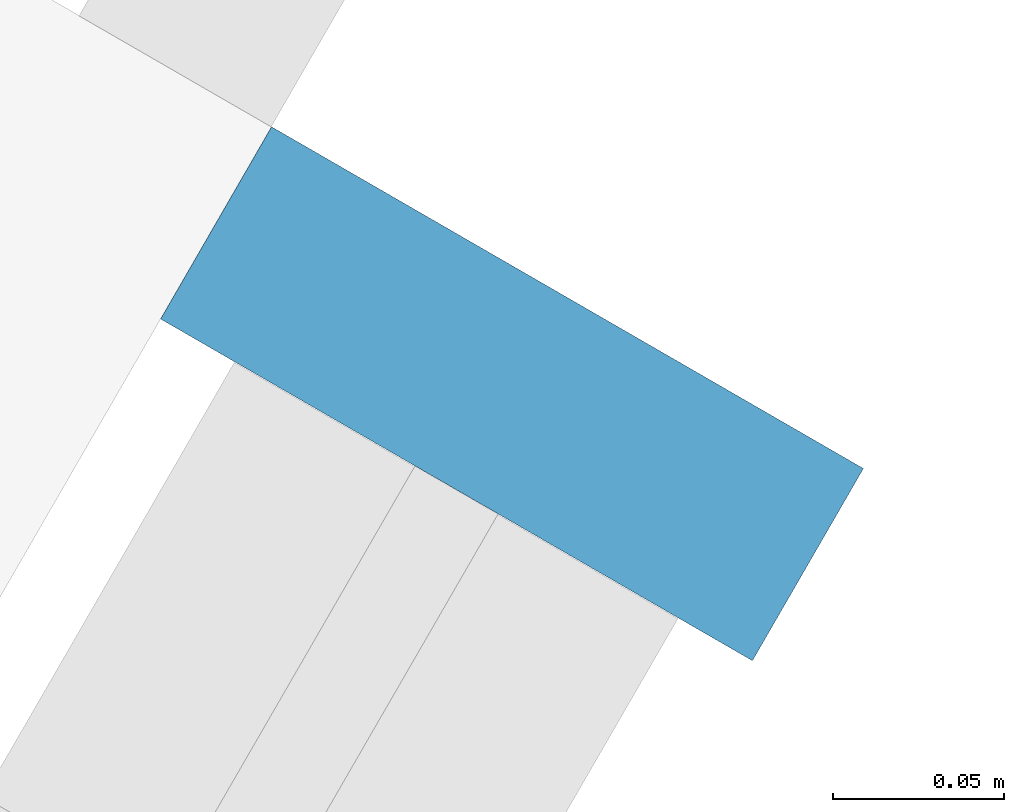
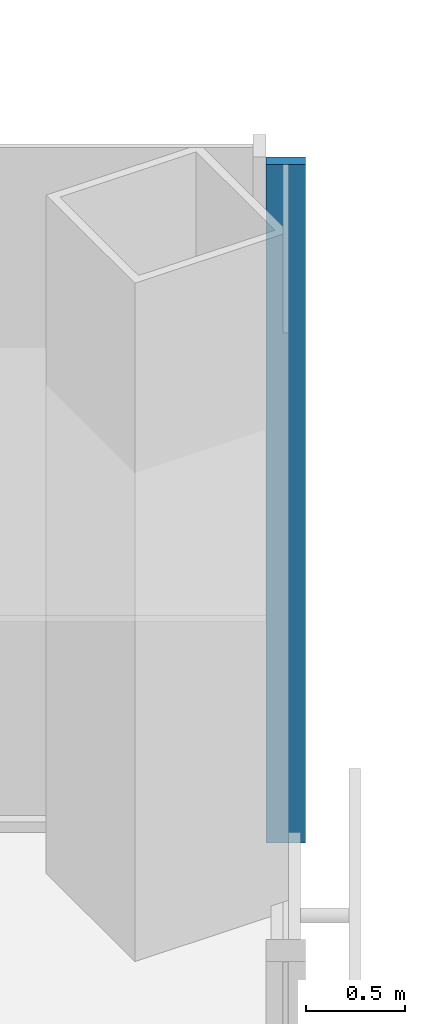
# One storey, part 8 of 15: 1 member, 1 element without a shape of its own.
"""IFC4 building model written with IfcOpenShell, lengths in metres."""

from ifc_helpers import new_model, si_unit, direction, frame, origin, origin_2d, place, context, subcontext, project, spatial, rectangle, extrude, material, material_profile, profile_set, type_object, element, aggregate, save


model = new_model("IFC4")

# Units and contexts
model_context = context("Model", 3, precision=1e-05, world=origin(), true_north=direction((0.0, 1.0)))
body_context = subcontext(model_context, "Body", "Model", "MODEL_VIEW")
ifc_project = project(units=[si_unit("LENGTHUNIT", "METRE"), si_unit("AREAUNIT", "SQUARE_METRE"), si_unit("VOLUMEUNIT", "CUBIC_METRE"), si_unit("PLANEANGLEUNIT", "RADIAN"), si_unit("MASSUNIT", "GRAM", prefix="KILO")], contexts=[model_context])

# Site, building, storey
site_placement = place(None, origin())
site = spatial("IfcSite", under=ifc_project, at=site_placement, CompositionType="ELEMENT")
building_placement = place(site_placement, origin())
building = spatial("IfcBuilding", under=site, at=building_placement, Name="Kasaneha Research Tower", CompositionType="ELEMENT")
storey_placement = place(building_placement, frame((0.0, 0.0, 35.199951171875)))
storey = spatial("IfcBuildingStorey", under=building, at=storey_placement, Name="L09", CompositionType="ELEMENT", Elevation=35.199951171875)

# Curtain wall, member
ifc_material_1 = material(Name="Glass and aluminium", Category="aluminium")
curtain_wall_type = type_object("IfcCurtainWallType", Name="Dry laboratory curtain wall", PredefinedType="USERDEFINED", material=ifc_material_1)
curtain_wall_placement = place(storey_placement, origin())
curtain_wall = element("IfcCurtainWall", 1, at=curtain_wall_placement, inside=storey, type_object=curtain_wall_type, Name="CW-L2 L09 run 05a", ObjectType="UNITISED CURTAIN WALL", PredefinedType="USERDEFINED")
ifc_material_2 = material(Name="Aluminium 6063-T6", Category="aluminium")
ifc_material_profile = material_profile(ifc_material_2, rectangle(XDim=0.06494140625, YDim=0.199951171875, at=origin_2d()), Name="CW-L2 mullion 65x200")
ifc_profile_set = profile_set([ifc_material_profile], Name="Aluminium 6063-T6")
member_type = type_object("IfcMemberType", Name="CW-L2 mullion", PredefinedType="MULLION", material=ifc_profile_set)
member_placement = place(storey_placement, frame((32.01171875, -6.39501953125, 0.0), z_axis=(0.0, 0.0, 1.0), x_axis=(0.500000011442, 0.866025397178, 0.0)))
member = element("IfcMember", 2, at=member_placement, type_object=member_type, Name="CW-L2 mullion 4", PredefinedType="MULLION", context=body_context, shape_type="SweptSolid", body=[
    extrude(rectangle(XDim=0.06494140625, YDim=0.199951171875, at=origin_2d()), origin(), (0.0, 0.0, 1.0), 4.199951171875),
])
aggregate(curtain_wall, [member])

save(model, "model.ifc")
